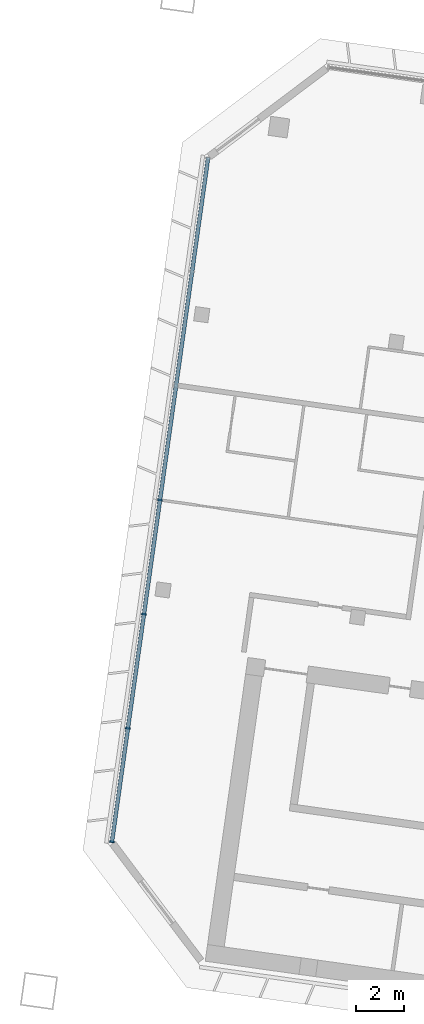
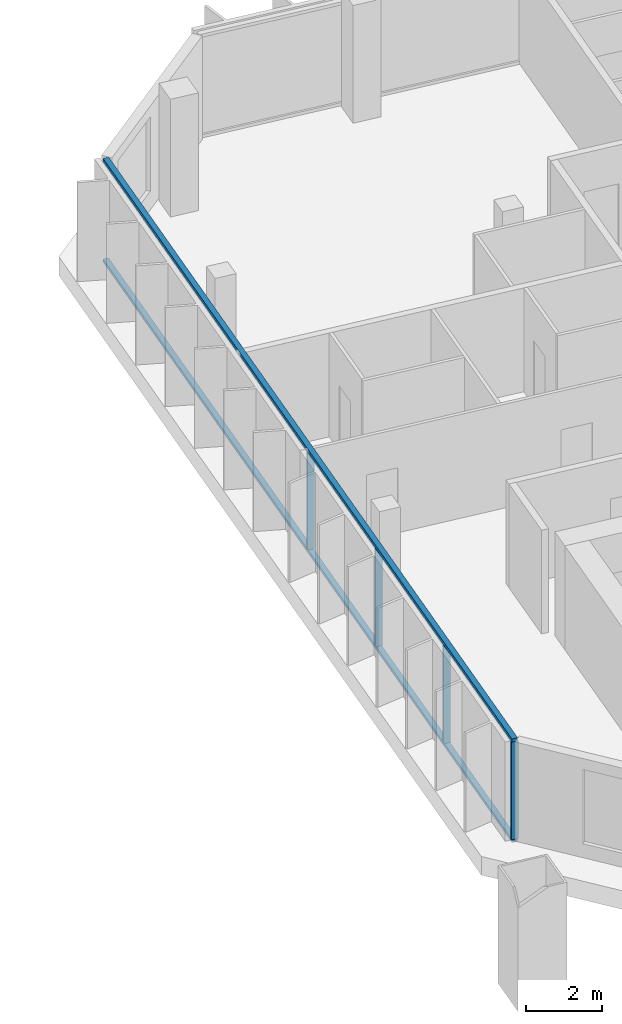
# One storey, part 2 of 23: 6 members, 1 element without a shape of its own.
"""IFC4 building model written with IfcOpenShell, lengths in metres."""

from ifc_helpers import new_model, si_unit, direction, frame, origin, origin_2d, place, context, subcontext, project, spatial, rectangle, extrude, material, material_profile, profile_set, type_object, element, aggregate, save


model = new_model("IFC4")

# Units and contexts
model_context = context("Model", 3, precision=1e-05, world=origin(), true_north=direction((0.0, 1.0)))
body_context = subcontext(model_context, "Body", "Model", "MODEL_VIEW")
ifc_project = project(units=[si_unit("LENGTHUNIT", "METRE"), si_unit("AREAUNIT", "SQUARE_METRE"), si_unit("VOLUMEUNIT", "CUBIC_METRE"), si_unit("PLANEANGLEUNIT", "RADIAN"), si_unit("MASSUNIT", "GRAM", prefix="KILO")], contexts=[model_context])

# Site, building, storey
site_placement = place(None, origin())
site = spatial("IfcSite", under=ifc_project, at=site_placement, CompositionType="ELEMENT")
building_placement = place(site_placement, origin())
building = spatial("IfcBuilding", under=site, at=building_placement, Name="Mirante Cascada Hotel Towers", CompositionType="ELEMENT")
storey_placement = place(building_placement, frame((0.0, 0.0, 187.8)))
storey = spatial("IfcBuildingStorey", under=building, at=storey_placement, Name="L44", CompositionType="ELEMENT", Elevation=187.8)

# Curtain wall, members
ifc_material_1 = material(Name="Aluminium mullion and transom frame with clear laminated glass", Category="aluminium")
curtain_wall_type = type_object("IfcCurtainWallType", Name="End ribbon curtain wall ECW2", PredefinedType="NOTDEFINED", material=ifc_material_1)
curtain_wall_placement = place(storey_placement, origin())
curtain_wall = element("IfcCurtainWall", 1, at=curtain_wall_placement, inside=storey, type_object=curtain_wall_type, Name="Outer end wall T1 L44", PredefinedType="NOTDEFINED")
ifc_material_2 = material(Name="Anodised aluminium extrusion", Category="aluminium")
ifc_material_profile_1 = material_profile(ifc_material_2, rectangle(XDim=0.2, YDim=0.065, at=origin_2d()), Name="ECW2 MULLION 65x200")
ifc_profile_set_1 = profile_set([ifc_material_profile_1], Name="Anodised aluminium extrusion")
member_type_1 = type_object("IfcMemberType", Name="ECW2 mullion 65x200", PredefinedType="MULLION", material=ifc_profile_set_1)
member_1_placement = place(storey_placement, frame((-85.3308, -8.7707, 0.1), z_axis=(0.0, 0.0, 1.0), x_axis=(-0.9902681, 0.1391731, 0.0)))
member_1 = element("IfcMember", 2, at=member_1_placement, type_object=member_type_1, Name="ECW2 mullion 1", PredefinedType="MULLION", context=body_context, shape_type="SweptSolid", body=[
    extrude(rectangle(XDim=0.2, YDim=0.065, at=origin_2d()), origin(), (0.0, 0.0, 1.0), 3.15),
])
member_2_placement = place(storey_placement, frame((-84.6655, -4.0371, 0.1), z_axis=(0.0, 0.0, 1.0), x_axis=(-0.9902681, 0.1391731, 0.0)))
member_2 = element("IfcMember", 3, at=member_2_placement, type_object=member_type_1, Name="ECW2 mullion 2", PredefinedType="MULLION", context=body_context, shape_type="SweptSolid", body=[
    extrude(rectangle(XDim=0.2, YDim=0.065, at=origin_2d()), origin(), (0.0, 0.0, 1.0), 3.15),
])
member_3_placement = place(storey_placement, frame((-83.9957, 0.7287, 0.1), z_axis=(0.0, 0.0, 1.0), x_axis=(-0.9902681, 0.1391731, 0.0)))
member_3 = element("IfcMember", 4, at=member_3_placement, type_object=member_type_1, Name="ECW2 mullion 3", PredefinedType="MULLION", context=body_context, shape_type="SweptSolid", body=[
    extrude(rectangle(XDim=0.2, YDim=0.065, at=origin_2d()), origin(), (0.0, 0.0, 1.0), 3.15),
])
member_4_placement = place(storey_placement, frame((-83.3259, 5.4945, 0.1), z_axis=(0.0, 0.0, 1.0), x_axis=(-0.9902681, 0.1391731, 0.0)))
member_4 = element("IfcMember", 5, at=member_4_placement, type_object=member_type_1, Name="ECW2 mullion 4", PredefinedType="MULLION", context=body_context, shape_type="SweptSolid", body=[
    extrude(rectangle(XDim=0.2, YDim=0.065, at=origin_2d()), origin(), (0.0, 0.0, 1.0), 3.15),
])
ifc_material_3 = material(Name="Anodised aluminium extrusion", Category="aluminium")
ifc_material_profile_2 = material_profile(ifc_material_3, rectangle(XDim=0.16, YDim=0.1, at=origin_2d()), Name="ECW2 TRANSOM 100x160")
ifc_profile_set_2 = profile_set([ifc_material_profile_2], Name="Anodised aluminium extrusion")
member_type_2 = type_object("IfcMemberType", Name="ECW2 transom 100x160", PredefinedType="USERDEFINED", material=ifc_profile_set_2)
member_5_placement = place(storey_placement, frame((-85.3353, -8.8029, 0.05), z_axis=(0.1391723, 0.9902682, 0.0), x_axis=(-0.9902682, 0.1391723, 0.0)))
member_5 = element("IfcMember", 6, at=member_5_placement, type_object=member_type_2, Name="ECW2 sill transom", ObjectType="TRANSOM", PredefinedType="USERDEFINED", context=body_context, shape_type="SweptSolid", body=[
    extrude(rectangle(XDim=0.16, YDim=0.1, at=origin_2d()), origin(), (0.0, 0.0, 1.0), 28.8757),
])
member_6_placement = place(storey_placement, frame((-85.3353, -8.8029, 3.3), z_axis=(0.1391723, 0.9902682, 0.0), x_axis=(-0.9902682, 0.1391723, 0.0)))
member_6 = element("IfcMember", 7, at=member_6_placement, type_object=member_type_2, Name="ECW2 head transom", ObjectType="TRANSOM", PredefinedType="USERDEFINED", context=body_context, shape_type="SweptSolid", body=[
    extrude(rectangle(XDim=0.16, YDim=0.1, at=origin_2d()), origin(), (0.0, 0.0, 1.0), 28.8757),
])
aggregate(curtain_wall, [member_5, member_6, member_1, member_2, member_3, member_4])

save(model, "model.ifc")
